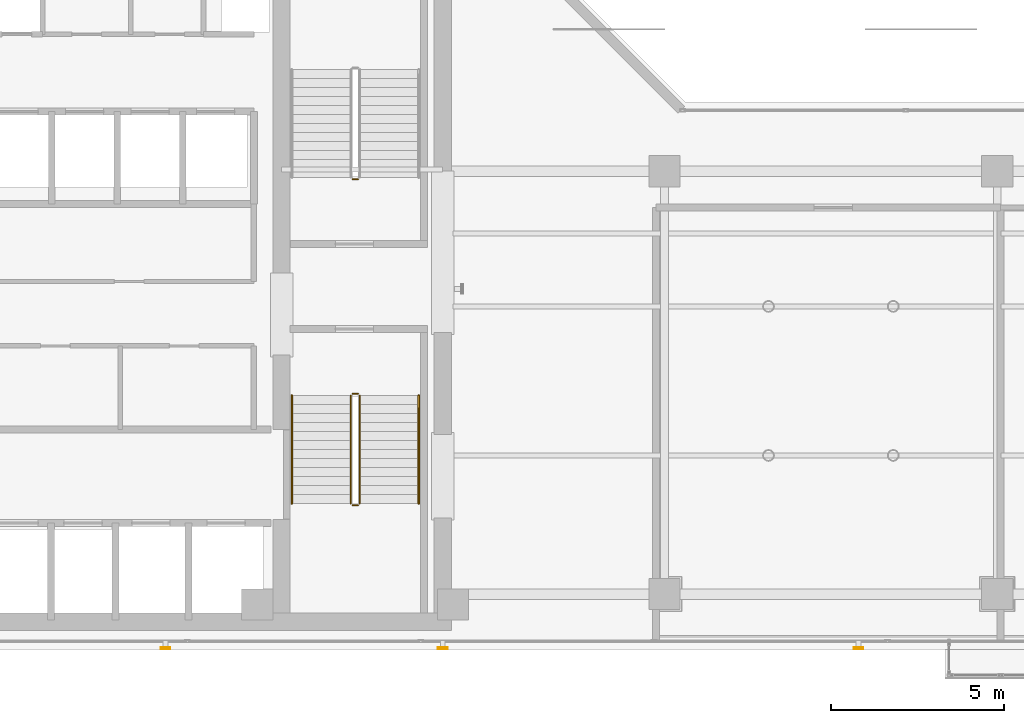
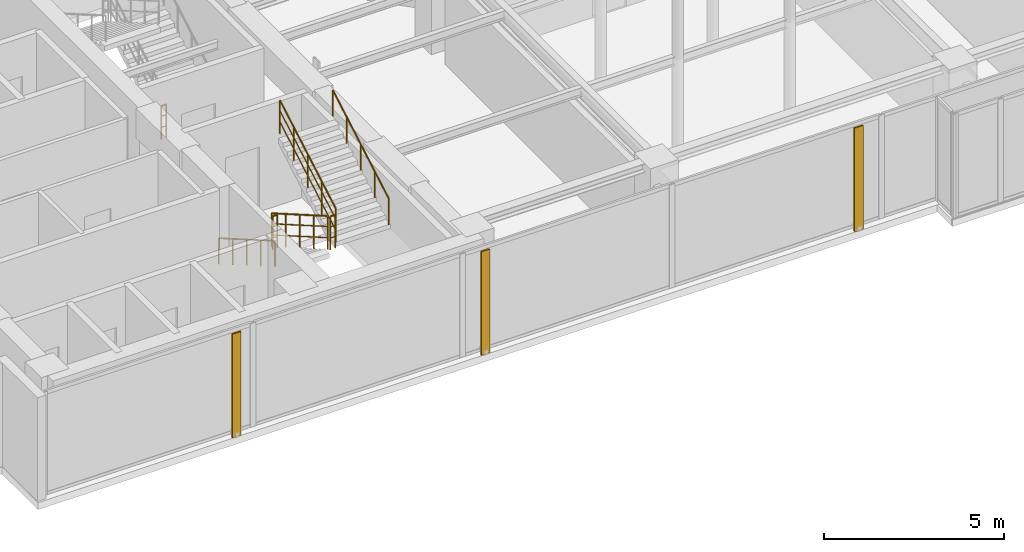
# One storey, part 28 of 32: 7 railings, 3 shading devices.
"""IFC4 building model written with IfcOpenShell, lengths in metres."""

from ifc_helpers import new_model, si_unit, direction, frame, origin, origin_2d, place, context, subcontext, project, spatial, hollow_rectangle, circle, extrude, material, material_profile, profile_set, type_object, element, save


model = new_model("IFC4")

# Units and contexts
model_context = context("Model", 3, precision=1e-05, world=origin(), true_north=direction((0.0, 1.0)))
body_context = subcontext(model_context, "Body", "Model", "MODEL_VIEW")
ifc_project = project(units=[si_unit("LENGTHUNIT", "METRE"), si_unit("AREAUNIT", "SQUARE_METRE"), si_unit("VOLUMEUNIT", "CUBIC_METRE"), si_unit("PLANEANGLEUNIT", "RADIAN"), si_unit("MASSUNIT", "GRAM", prefix="KILO")], contexts=[model_context])

# Site, building, storey
site_placement = place(None, origin())
site = spatial("IfcSite", under=ifc_project, at=site_placement, CompositionType="ELEMENT")
building_placement = place(site_placement, origin())
building = spatial("IfcBuilding", under=site, at=building_placement, Name="Kolvaren Waterfront Exchange", CompositionType="ELEMENT")
storey_placement = place(building_placement, frame((0.0, 0.0, 348.10009765625)))
storey = spatial("IfcBuildingStorey", under=building, at=storey_placement, Name="L89", CompositionType="ELEMENT", Elevation=348.10009765625)

# Shading devices
ifc_material_1 = material(Name="Anodised bronze aluminium 6063-T6", Category="aluminium")
ifc_material_profile = material_profile(ifc_material_1, hollow_rectangle(XDim=0.054931640625, YDim=0.280029296875, WallThickness=0.00439453125, at=origin_2d()), Name="BRZ-FIN-280x55x4.5")
ifc_profile_set = profile_set([ifc_material_profile], Name="Anodised bronze aluminium 6063-T6")
shading_device_type = type_object("IfcShadingDeviceType", Name="ARC-FIN-280", PredefinedType="USERDEFINED", material=ifc_profile_set)
for number, where, z_axis, x_axis, name in (
    (1, (12.800048828125, 3.639892578125, 0.0), (0.0, 0.0, 1.0), (0.0, -1.0, 0.0), "L89 anodised bronze solar shading fin FIN-L89-S1"),
    (2, (20.800048828125, 3.639892578125, 0.0), (0.0, 0.0, 1.0), (0.0, -1.0, 0.0), "L89 anodised bronze solar shading fin FIN-L89-S2"),
    (3, (32.800048828125, 3.639892578125, 0.0), (0.0, 0.0, 1.0), (0.0, -1.0, 0.0), "L89 anodised bronze solar shading fin FIN-L89-S3"),
):
    element("IfcShadingDevice", number, at=place(storey_placement, frame(where, z_axis=z_axis, x_axis=x_axis)), inside=storey, type_object=shading_device_type, Name=name, ObjectType="SOLAR FIN", PredefinedType="USERDEFINED", context=body_context, shape_type="SweptSolid", body=[
        extrude(hollow_rectangle(XDim=0.054931640625, YDim=0.280029296875, WallThickness=0.00439453125, at=origin_2d()), origin(), (0.0, 0.0, 1.0), 3.52001953125),
    ])

# Railings
ifc_material_2 = material(Name="Stainless steel 316", Category="steel")
railing_type_1 = type_object("IfcRailingType", Name="ARC-GUARD-STAIR", PredefinedType="GUARDRAIL", material=ifc_material_2)
railing_1_placement = place(storey_placement, frame((18.14990234375, 10.929931640625, 0.14990234375)))
element("IfcRailing", 4, at=railing_1_placement, inside=storey, type_object=railing_type_1, Name="L89 ST1 stair guard 1", PredefinedType="GUARDRAIL", context=body_context, shape_type="SweptSolid", body=[
    extrude(circle(Radius=0.02392578125, at=origin_2d()), frame((0.0, 0.0, 1.1259765625), z_axis=(0.0, -0.866170916134, 0.49974788048), x_axis=(1.0, 0.0, 0.0)), (0.0, 0.0, 1.0), 3.601806640625),
    extrude(circle(Radius=0.01611328125, at=origin_2d()), frame((0.0, 0.0, 0.390869140625), z_axis=(0.0, -0.866170916134, 0.49974788048), x_axis=(1.0, 0.0, 0.0)), (0.0, 0.0, 1.0), 3.601806640625),
    extrude(circle(Radius=0.01611328125, at=origin_2d()), frame((0.0, 0.0, 0.7705078125), z_axis=(0.0, -0.866170916134, 0.49974788048), x_axis=(1.0, 0.0, 0.0)), (0.0, 0.0, 1.0), 3.601806640625),
    extrude(circle(Radius=0.02099609375, at=origin_2d()), origin(), (0.0, 0.0, 1.0), 1.101806640625),
    extrude(circle(Radius=0.02099609375, at=origin_2d()), frame((0.0, -0.780029296875, 0.449951171875)), (0.0, 0.0, 1.0), 1.101806640625),
    extrude(circle(Radius=0.02099609375, at=origin_2d()), frame((0.0, -1.56005859375, 0.89990234375)), (0.0, 0.0, 1.0), 1.101806640625),
    extrude(circle(Radius=0.02099609375, at=origin_2d()), frame((0.0, -2.33984375, 1.35009765625)), (0.0, 0.0, 1.0), 1.101806640625),
    extrude(circle(Radius=0.02099609375, at=origin_2d()), frame((0.0, -3.119873046875, 1.800048828125)), (0.0, 0.0, 1.0), 1.101806640625),
])
railing_2_placement = place(storey_placement, frame((18.199951171875, 7.760009765625, 1.949951171875)))
element("IfcRailing", 5, at=railing_2_placement, inside=storey, type_object=railing_type_1, Name="L89 ST1 stair guard 2", PredefinedType="GUARDRAIL", context=body_context, shape_type="SweptSolid", body=[
    extrude(circle(Radius=0.02392578125, at=origin_2d()), frame((0.0, 0.0, 1.1259765625), z_axis=(1.0, 0.0, 0.0), x_axis=(0.0, 1.0, 0.0)), (0.0, 0.0, 1.0), 0.16015625),
    extrude(circle(Radius=0.01611328125, at=origin_2d()), frame((0.0, 0.0, 0.390869140625), z_axis=(1.0, 0.0, 0.0), x_axis=(0.0, 1.0, 0.0)), (0.0, 0.0, 1.0), 0.16015625),
    extrude(circle(Radius=0.01611328125, at=origin_2d()), frame((0.0, 0.0, 0.7705078125), z_axis=(1.0, 0.0, 0.0), x_axis=(0.0, 1.0, 0.0)), (0.0, 0.0, 1.0), 0.16015625),
    extrude(circle(Radius=0.02099609375, at=origin_2d()), origin(), (0.0, 0.0, 1.0), 1.101806640625),
    extrude(circle(Radius=0.02099609375, at=origin_2d()), frame((0.16015625, 0.0, 0.0)), (0.0, 0.0, 1.0), 1.101806640625),
])
railing_3_placement = place(storey_placement, frame((18.409912109375, 7.81005859375, 2.099853515625)))
element("IfcRailing", 6, at=railing_3_placement, inside=storey, type_object=railing_type_1, Name="L89 ST1 stair guard 3", PredefinedType="GUARDRAIL", context=body_context, shape_type="SweptSolid", body=[
    extrude(circle(Radius=0.02392578125, at=origin_2d()), frame((0.0, 0.0, 1.1259765625), z_axis=(0.0, 0.866170916134, 0.49974788048), x_axis=(-1.0, 0.0, 0.0)), (0.0, 0.0, 1.0), 3.601806640625),
    extrude(circle(Radius=0.01611328125, at=origin_2d()), frame((0.0, 0.0, 0.390869140625), z_axis=(0.0, 0.866170916134, 0.49974788048), x_axis=(-1.0, 0.0, 0.0)), (0.0, 0.0, 1.0), 3.601806640625),
    extrude(circle(Radius=0.01611328125, at=origin_2d()), frame((0.0, 0.0, 0.7705078125), z_axis=(0.0, 0.866170916134, 0.49974788048), x_axis=(-1.0, 0.0, 0.0)), (0.0, 0.0, 1.0), 3.601806640625),
    extrude(circle(Radius=0.02099609375, at=origin_2d()), origin(), (0.0, 0.0, 1.0), 1.101806640625),
    extrude(circle(Radius=0.02099609375, at=origin_2d()), frame((0.0, 0.780029296875, 0.449951171875)), (0.0, 0.0, 1.0), 1.101806640625),
    extrude(circle(Radius=0.02099609375, at=origin_2d()), frame((0.0, 1.56005859375, 0.89990234375)), (0.0, 0.0, 1.0), 1.101806640625),
    extrude(circle(Radius=0.02099609375, at=origin_2d()), frame((0.0, 2.33984375, 1.35009765625)), (0.0, 0.0, 1.0), 1.101806640625),
    extrude(circle(Radius=0.02099609375, at=origin_2d()), frame((0.0, 3.119873046875, 1.800048828125)), (0.0, 0.0, 1.0), 1.101806640625),
])
railing_4_placement = place(storey_placement, frame((18.199951171875, 10.97998046875, 0.0)))
element("IfcRailing", 7, at=railing_4_placement, inside=storey, type_object=railing_type_1, Name="L89 ST1 stair guard 4", PredefinedType="GUARDRAIL", context=body_context, shape_type="SweptSolid", body=[
    extrude(circle(Radius=0.02392578125, at=origin_2d()), frame((0.0, 0.0, 1.1259765625), z_axis=(1.0, 0.0, 0.0), x_axis=(0.0, 1.0, 0.0)), (0.0, 0.0, 1.0), 0.16015625),
    extrude(circle(Radius=0.01611328125, at=origin_2d()), frame((0.0, 0.0, 0.390869140625), z_axis=(1.0, 0.0, 0.0), x_axis=(0.0, 1.0, 0.0)), (0.0, 0.0, 1.0), 0.16015625),
    extrude(circle(Radius=0.01611328125, at=origin_2d()), frame((0.0, 0.0, 0.7705078125), z_axis=(1.0, 0.0, 0.0), x_axis=(0.0, 1.0, 0.0)), (0.0, 0.0, 1.0), 0.16015625),
    extrude(circle(Radius=0.02099609375, at=origin_2d()), origin(), (0.0, 0.0, 1.0), 1.101806640625),
    extrude(circle(Radius=0.02099609375, at=origin_2d()), frame((0.16015625, 0.0, 0.0)), (0.0, 0.0, 1.0), 1.101806640625),
])
railing_5_placement = place(storey_placement, frame((18.360107421875, 17.169921875, 0.0)))
element("IfcRailing", 8, at=railing_5_placement, inside=storey, type_object=railing_type_1, Name="L89 ST2 stair guard 4", PredefinedType="GUARDRAIL", context=body_context, shape_type="SweptSolid", body=[
    extrude(circle(Radius=0.02392578125, at=origin_2d()), frame((0.0, 0.0, 1.1259765625), z_axis=(-1.0, 0.0, 0.0), x_axis=(0.0, -1.0, 0.0)), (0.0, 0.0, 1.0), 0.16015625),
    extrude(circle(Radius=0.01611328125, at=origin_2d()), frame((0.0, 0.0, 0.390869140625), z_axis=(-1.0, 0.0, 0.0), x_axis=(0.0, -1.0, 0.0)), (0.0, 0.0, 1.0), 0.16015625),
    extrude(circle(Radius=0.01611328125, at=origin_2d()), frame((0.0, 0.0, 0.7705078125), z_axis=(-1.0, 0.0, 0.0), x_axis=(0.0, -1.0, 0.0)), (0.0, 0.0, 1.0), 0.16015625),
    extrude(circle(Radius=0.02099609375, at=origin_2d()), origin(), (0.0, 0.0, 1.0), 1.101806640625),
    extrude(circle(Radius=0.02099609375, at=origin_2d()), frame((-0.16015625, 0.0, 0.0)), (0.0, 0.0, 1.0), 1.101806640625),
])
railing_type_2 = type_object("IfcRailingType", Name="ARC-HANDRAIL-900", PredefinedType="HANDRAIL", material=ifc_material_2)
railing_6_placement = place(storey_placement, frame((16.449951171875, 10.929931640625, 0.14990234375)))
element("IfcRailing", 9, at=railing_6_placement, inside=storey, type_object=railing_type_2, Name="L89 ST1 stair handrail 1", PredefinedType="HANDRAIL", context=body_context, shape_type="SweptSolid", body=[
    extrude(circle(Radius=0.02392578125, at=origin_2d()), frame((0.0, 0.0, 0.8759765625), z_axis=(0.0, -0.866170916134, 0.49974788048), x_axis=(1.0, 0.0, 0.0)), (0.0, 0.0, 1.0), 3.601806640625),
    extrude(circle(Radius=0.02099609375, at=origin_2d()), origin(), (0.0, 0.0, 1.0), 0.851806640625),
    extrude(circle(Radius=0.02099609375, at=origin_2d()), frame((0.0, -0.780029296875, 0.449951171875)), (0.0, 0.0, 1.0), 0.851806640625),
    extrude(circle(Radius=0.02099609375, at=origin_2d()), frame((0.0, -1.56005859375, 0.89990234375)), (0.0, 0.0, 1.0), 0.851806640625),
    extrude(circle(Radius=0.02099609375, at=origin_2d()), frame((0.0, -2.33984375, 1.35009765625)), (0.0, 0.0, 1.0), 0.851806640625),
    extrude(circle(Radius=0.02099609375, at=origin_2d()), frame((0.0, -3.119873046875, 1.800048828125)), (0.0, 0.0, 1.0), 0.851806640625),
])
railing_7_placement = place(storey_placement, frame((20.110107421875, 7.81005859375, 2.099853515625)))
element("IfcRailing", 10, at=railing_7_placement, inside=storey, type_object=railing_type_2, Name="L89 ST1 stair handrail 2", PredefinedType="HANDRAIL", context=body_context, shape_type="SweptSolid", body=[
    extrude(circle(Radius=0.02392578125, at=origin_2d()), frame((0.0, 0.0, 0.8759765625), z_axis=(0.0, 0.866170916134, 0.49974788048), x_axis=(-1.0, 0.0, 0.0)), (0.0, 0.0, 1.0), 3.601806640625),
    extrude(circle(Radius=0.02099609375, at=origin_2d()), origin(), (0.0, 0.0, 1.0), 0.851806640625),
    extrude(circle(Radius=0.02099609375, at=origin_2d()), frame((0.0, 0.780029296875, 0.449951171875)), (0.0, 0.0, 1.0), 0.851806640625),
    extrude(circle(Radius=0.02099609375, at=origin_2d()), frame((0.0, 1.56005859375, 0.89990234375)), (0.0, 0.0, 1.0), 0.851806640625),
    extrude(circle(Radius=0.02099609375, at=origin_2d()), frame((0.0, 2.33984375, 1.35009765625)), (0.0, 0.0, 1.0), 0.851806640625),
    extrude(circle(Radius=0.02099609375, at=origin_2d()), frame((0.0, 3.119873046875, 1.800048828125)), (0.0, 0.0, 1.0), 0.851806640625),
])

save(model, "model.ifc")
